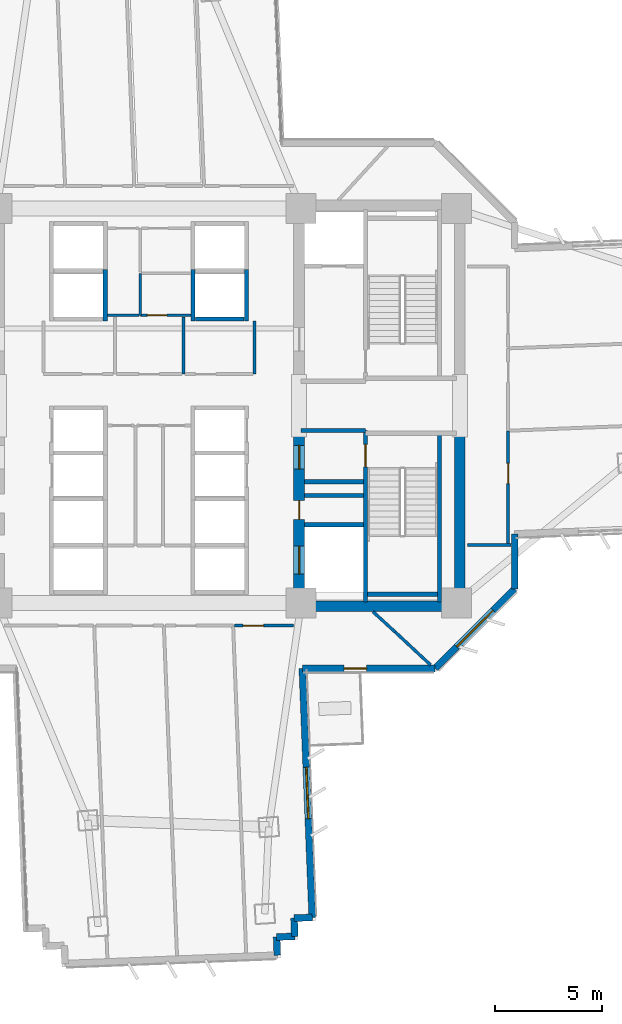
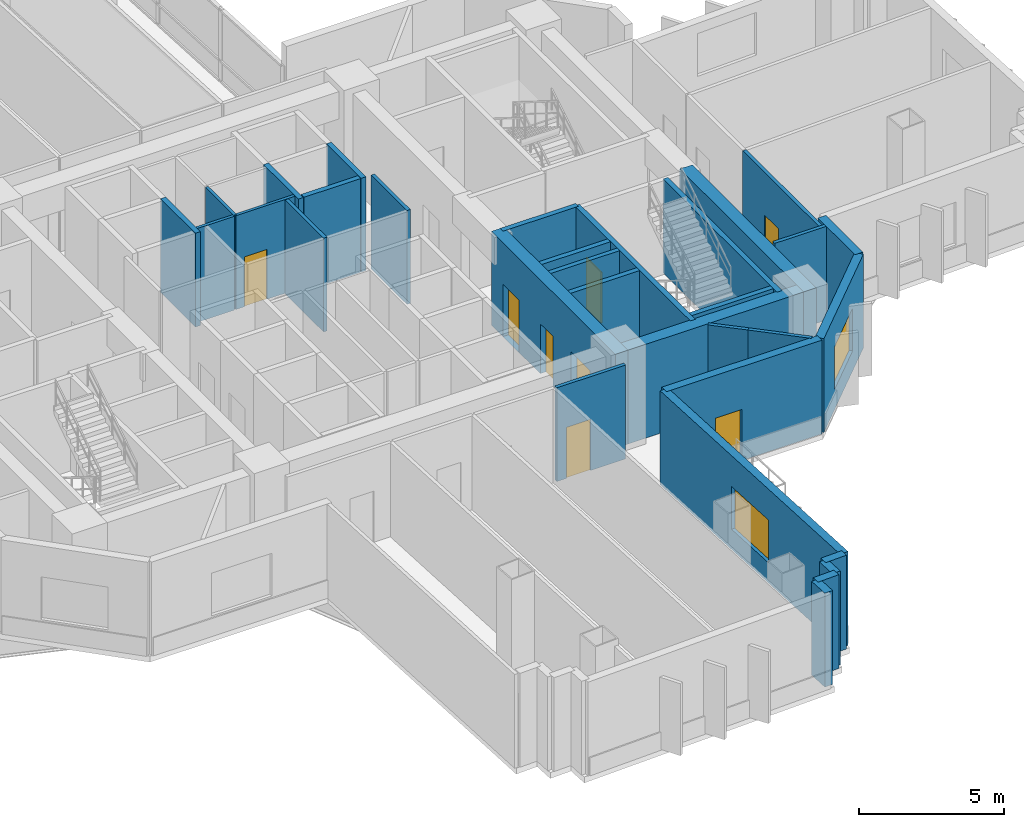
# One storey, part 8 of 16: 32 walls, 8 doors, 2 windows, 10 openings.
"""IFC4 building model written with IfcOpenShell, lengths in metres."""

from ifc_helpers import new_model, si_unit, direction, frame, frame_2d, origin, place, context, subcontext, project, spatial, rectangle, extrude, source, transform, mapped, material, layer, layer_set, type_object, element, fill, save


model = new_model("IFC4")

# Units and contexts
model_context = context("Model", 3, precision=1e-05, world=origin(), true_north=direction((0.0, 1.0)))
body_context = subcontext(model_context, "Body", "Model", "MODEL_VIEW")
ifc_project = project(units=[si_unit("LENGTHUNIT", "METRE"), si_unit("AREAUNIT", "SQUARE_METRE"), si_unit("VOLUMEUNIT", "CUBIC_METRE"), si_unit("PLANEANGLEUNIT", "RADIAN"), si_unit("MASSUNIT", "GRAM", prefix="KILO")], contexts=[model_context])

# Site, building, storey
site_placement = place(None, origin())
site = spatial("IfcSite", under=ifc_project, at=site_placement, CompositionType="ELEMENT")
building_placement = place(site_placement, origin())
building = spatial("IfcBuilding", under=site, at=building_placement, Name="Zahravan Cultural Tower", CompositionType="ELEMENT")
storey_placement = place(building_placement, frame((0.0, 0.0, 62.699951171875)))
storey = spatial("IfcBuildingStorey", under=building, at=storey_placement, Name="L13", CompositionType="ELEMENT", Elevation=62.699951171875)

# Wall, openings, doors
ifc_material_1 = material(Name="Concrete C60/75", Category="concrete")
ifc_layer_1 = layer(ifc_material_1, 0.5)
ifc_layer_set_1 = layer_set([ifc_layer_1], Name="Concrete C60/75")
wall_type_1 = type_object("IfcWallType", Name="CW-SHEAR-500-C60", PredefinedType="SHEAR", material=ifc_layer_set_1)
wall_1_placement = place(storey_placement, frame((43.0, 17.39990234375, 0.0), z_axis=(0.0, 0.0, 1.0), x_axis=(0.0, 1.0, 0.0)))
wall_1 = element("IfcWall", 1, at=wall_1_placement, inside=storey, type_object=wall_type_1, Name="L13 Core Shear Wall CW-E-WS-L13", PredefinedType="SHEAR", context=body_context, shape_type="SweptSolid", body=[
    extrude(rectangle(XDim=8.550048828125, YDim=0.5, at=frame_2d((4.27490234375, 0.0))), origin(), (0.0, 0.0, 1.0), 3.949951171875),
])
opening_1_placement = place(wall_1_placement, frame((6.64990234375, 0.0, 0.0)))
opening_1 = element("IfcOpeningElement", 2, at=opening_1_placement, cuts=wall_1, Name="Opening D-L13-08", PredefinedType="OPENING", context=body_context, shape_type="SweptSolid", body=[
    extrude(rectangle(XDim=1.10009765625, YDim=2.199951171875, at=frame_2d((0.550048828125, 1.10009765625))), frame((0.0, 0.260009765625, 0.0), z_axis=(0.0, -1.0, 0.0), x_axis=(1.0, 0.0, 0.0)), (0.0, 0.0, 1.0), 0.52001953125),
])
opening_2_placement = place(wall_1_placement, frame((1.75, 0.0, 0.0)))
opening_2 = element("IfcOpeningElement", 3, at=opening_2_placement, cuts=wall_1, Name="Opening LD-L13-03", PredefinedType="OPENING", context=body_context, shape_type="SweptSolid", body=[
    extrude(rectangle(XDim=1.300048828125, YDim=2.199951171875, at=frame_2d((0.64990234375, 1.10009765625))), frame((0.0, 0.260009765625, 0.0), z_axis=(0.0, -1.0, 0.0), x_axis=(1.0, 0.0, 0.0)), (0.0, 0.0, 1.0), 0.52001953125),
])
opening_3_placement = place(wall_1_placement, frame((4.300048828125, 0.0, 0.0)))
opening_3 = element("IfcOpeningElement", 4, at=opening_3_placement, cuts=wall_1, Name="Opening D-L13-12", PredefinedType="OPENING", context=body_context, shape_type="SweptSolid", body=[
    extrude(rectangle(XDim=0.8798828125, YDim=2.10009765625, at=frame_2d((0.43994140625, 1.050048828125))), frame((0.0, 0.260009765625, 0.0), z_axis=(0.0, -1.0, 0.0), x_axis=(1.0, 0.0, 0.0)), (0.0, 0.0, 1.0), 0.52001953125),
])
ifc_material_2 = material(Name="Steel ASTM A572 Grade 50", Category="steel")
door_type_1 = type_object("IfcDoorType", Name="DR-LOBBY-1100", OperationType="NOTDEFINED", PredefinedType="DOOR", material=ifc_material_2)
shared_shape_1 = source(origin(), body_context, "Body", "SweptSolid", [
    extrude(rectangle(XDim=1.10009765625, YDim=2.199951171875, at=frame_2d((0.550048828125, 1.10009765625))), frame((0.0, 0.02490234375, 0.0), z_axis=(0.0, -1.0, 0.0), x_axis=(1.0, 0.0, 0.0)), (0.0, 0.0, 1.0), 0.050048828125),
])
door_1_placement = place(opening_1_placement, origin())
door_1 = element("IfcDoor", 5, at=door_1_placement, inside=storey, type_object=door_type_1, Name="L13 Door D-L13-08", OperationType="SINGLE_SWING_RIGHT", OverallHeight=2.199951171875, OverallWidth=1.10009765625, PredefinedType="DOOR", context=body_context, shape_type="MappedRepresentation", body=[
    mapped(shared_shape_1, transform((0.0, 0.0, 0.0), x_axis=(1.0, 0.0, 0.0), y_axis=(0.0, 1.0, 0.0), z_axis=(0.0, 0.0, 1.0), scale=1.0)),
])
fill(opening_1, door_1)
door_type_2 = type_object("IfcDoorType", Name="DR-LIFT-1300", OperationType="DOUBLE_DOOR_SLIDING", PredefinedType="DOOR", material=ifc_material_2)
shared_shape_2 = source(origin(), body_context, "Body", "SweptSolid", [
    extrude(rectangle(XDim=1.300048828125, YDim=2.199951171875, at=frame_2d((0.64990234375, 1.10009765625))), frame((0.0, 0.02490234375, 0.0), z_axis=(0.0, -1.0, 0.0), x_axis=(1.0, 0.0, 0.0)), (0.0, 0.0, 1.0), 0.050048828125),
])
door_2_placement = place(opening_2_placement, origin())
door_2 = element("IfcDoor", 6, at=door_2_placement, inside=storey, type_object=door_type_2, Name="L13 Door LD-L13-03", OperationType="DOUBLE_DOOR_SLIDING", OverallHeight=2.199951171875, OverallWidth=1.300048828125, PredefinedType="DOOR", context=body_context, shape_type="MappedRepresentation", body=[
    mapped(shared_shape_2, transform((0.0, 0.0, 0.0), x_axis=(1.0, 0.0, 0.0), y_axis=(0.0, 1.0, 0.0), z_axis=(0.0, 0.0, 1.0), scale=1.0)),
])
fill(opening_2, door_2)
door_type_3 = type_object("IfcDoorType", Name="DR-SVC-880", OperationType="NOTDEFINED", PredefinedType="DOOR", material=ifc_material_2)
shared_shape_3 = source(origin(), body_context, "Body", "SweptSolid", [
    extrude(rectangle(XDim=0.8798828125, YDim=2.10009765625, at=frame_2d((0.43994140625, 1.050048828125))), frame((0.0, 0.02490234375, 0.0), z_axis=(0.0, -1.0, 0.0), x_axis=(1.0, 0.0, 0.0)), (0.0, 0.0, 1.0), 0.050048828125),
])
door_3_placement = place(opening_3_placement, origin())
door_3 = element("IfcDoor", 7, at=door_3_placement, inside=storey, type_object=door_type_3, Name="L13 Door D-L13-12", OperationType="SINGLE_SWING_RIGHT", OverallHeight=2.10009765625, OverallWidth=0.8798828125, PredefinedType="DOOR", context=body_context, shape_type="MappedRepresentation", body=[
    mapped(shared_shape_3, transform((0.0, 0.0, 0.0), x_axis=(1.0, 0.0, 0.0), y_axis=(0.0, 1.0, 0.0), z_axis=(0.0, 0.0, 1.0), scale=1.0)),
])
fill(opening_3, door_3)

# Wall, opening, window
ifc_material_3 = material(Name="Precast concrete C40/50", Category="concrete")
ifc_layer_2 = layer(ifc_material_3, 0.320068359375)
ifc_layer_set_2 = layer_set([ifc_layer_2], Name="Precast concrete C40/50")
wall_type_2 = type_object("IfcWallType", Name="EW-TC-320", PredefinedType="SOLIDWALL", material=ifc_layer_set_2)
wall_2_placement = place(storey_placement, frame((53.06005859375, 18.4580078125, 0.0), z_axis=(0.0, 0.0, 1.0), x_axis=(-0.707106781187, -0.707106781187, 0.0)))
wall_2 = element("IfcWall", 8, at=wall_2_placement, inside=storey, type_object=wall_type_2, Name="L13 Exterior Masonry Frame Wall 13", PredefinedType="SOLIDWALL", context=body_context, shape_type="SweptSolid", body=[
    extrude(rectangle(XDim=5.258056640625, YDim=0.320068359375, at=frame_2d((2.62890625, 0.0))), origin(), (0.0, 0.0, 1.0), 3.949951171875),
])
opening_4_placement = place(wall_2_placement, frame((1.428955078125, 0.0, 0.85009765625)))
opening_4 = element("IfcOpeningElement", 9, at=opening_4_placement, cuts=wall_2, Name="Opening WN-01", PredefinedType="OPENING", context=body_context, shape_type="SweptSolid", body=[
    extrude(rectangle(XDim=2.39990234375, YDim=1.800048828125, at=frame_2d((1.199951171875, 0.89990234375))), frame((0.0, 0.169921875, 0.0), z_axis=(0.0, -1.0, 0.0), x_axis=(1.0, 0.0, 0.0)), (0.0, 0.0, 1.0), 0.340087890625),
])
ifc_material_4 = material(Name="Low-E solar-control double glazing", Category="glass")
window_type = type_object("IfcWindowType", Name="WN-REC-2400X1800", PartitioningType="DOUBLE_PANEL_VERTICAL", PredefinedType="WINDOW", material=ifc_material_4)
shared_shape_4 = source(origin(), body_context, "Body", "SweptSolid", [
    extrude(rectangle(XDim=2.39990234375, YDim=1.800048828125, at=frame_2d((1.199951171875, 0.89990234375))), frame((0.0, 0.030029296875, 0.0), z_axis=(0.0, -1.0, 0.0), x_axis=(1.0, 0.0, 0.0)), (0.0, 0.0, 1.0), 0.06005859375),
])
window_1_placement = place(opening_4_placement, origin())
window_1 = element("IfcWindow", 10, at=window_1_placement, inside=storey, type_object=window_type, Name="L13 Recessed Solar Window 04", OverallHeight=1.800048828125, OverallWidth=2.39990234375, PartitioningType="DOUBLE_PANEL_VERTICAL", PredefinedType="WINDOW", context=body_context, shape_type="MappedRepresentation", body=[
    mapped(shared_shape_4, transform((0.0, 0.0, 0.0), x_axis=(1.0, 0.0, 0.0), y_axis=(0.0, 1.0, 0.0), z_axis=(0.0, 0.0, 1.0), scale=1.0)),
])
fill(opening_4, window_1)

# Wall, opening, door
wall_3_placement = place(storey_placement, frame((49.342041015625, 14.739990234375, 0.0), z_axis=(0.0, 0.0, 1.0), x_axis=(-1.0, 0.0, 0.0)))
wall_3 = element("IfcWall", 11, at=wall_3_placement, inside=storey, type_object=wall_type_2, Name="L13 Exterior Masonry Frame Wall 14", PredefinedType="SOLIDWALL", context=body_context, shape_type="SweptSolid", body=[
    extrude(rectangle(XDim=6.188720703125, YDim=0.320068359375, at=frame_2d((3.09423828125, 0.0))), origin(), (0.0, 0.0, 1.0), 3.949951171875),
])
opening_5_placement = place(wall_3_placement, frame((3.18603515625, 0.0, 0.0)))
opening_5 = element("IfcOpeningElement", 12, at=opening_5_placement, cuts=wall_3, Name="Opening D-L13-TR-SE", PredefinedType="OPENING", context=body_context, shape_type="SweptSolid", body=[
    extrude(rectangle(XDim=1.050048828125, YDim=2.14990234375, at=frame_2d((0.52490234375, 1.074951171875))), frame((0.0, 0.169921875, 0.0), z_axis=(0.0, -1.0, 0.0), x_axis=(1.0, 0.0, 0.0)), (0.0, 0.0, 1.0), 0.340087890625),
])
ifc_material_5 = material(Name="Anodised bronze-aluminium mullion", Category="aluminium")
door_type_4 = type_object("IfcDoorType", Name="DR-TERR-1050", OperationType="NOTDEFINED", PredefinedType="DOOR", material=ifc_material_5)
shared_shape_5 = source(origin(), body_context, "Body", "SweptSolid", [
    extrude(rectangle(XDim=1.050048828125, YDim=2.14990234375, at=frame_2d((0.52490234375, 1.074951171875))), frame((0.0, 0.02490234375, 0.0), z_axis=(0.0, -1.0, 0.0), x_axis=(1.0, 0.0, 0.0)), (0.0, 0.0, 1.0), 0.050048828125),
])
door_4_placement = place(opening_5_placement, origin())
door_4 = element("IfcDoor", 13, at=door_4_placement, inside=storey, type_object=door_type_4, Name="L13 Terrace Access Door SE", OperationType="SINGLE_SWING_RIGHT", OverallHeight=2.14990234375, OverallWidth=1.050048828125, PredefinedType="DOOR", context=body_context, shape_type="MappedRepresentation", body=[
    mapped(shared_shape_5, transform((0.0, 0.0, 0.0), x_axis=(1.0, 0.0, 0.0), y_axis=(0.0, 1.0, 0.0), z_axis=(0.0, 0.0, 1.0), scale=1.0)),
])
fill(opening_5, door_4)

# Wall, opening, window
wall_4_placement = place(storey_placement, frame((43.1533203125, 14.739990234375, 0.0), z_axis=(0.0, 0.0, 1.0), x_axis=(0.039775975357, -0.999208622753, 0.0)))
wall_4 = element("IfcWall", 14, at=wall_4_placement, inside=storey, type_object=wall_type_2, Name="L13 Exterior Masonry Frame Wall 15", PredefinedType="SOLIDWALL", context=body_context, shape_type="SweptSolid", body=[
    extrude(rectangle(XDim=11.625244140625, YDim=0.320068359375, at=frame_2d((5.8125, 0.0))), origin(), (0.0, 0.0, 1.0), 3.949951171875),
])
opening_6_placement = place(wall_4_placement, frame((4.613037109375, 0.0, 0.85009765625)))
opening_6 = element("IfcOpeningElement", 15, at=opening_6_placement, cuts=wall_4, Name="Opening WN-01", PredefinedType="OPENING", context=body_context, shape_type="SweptSolid", body=[
    extrude(rectangle(XDim=2.39990234375, YDim=1.800048828125, at=frame_2d((1.199951171875, 0.89990234375))), frame((0.0, 0.169921875, 0.0), z_axis=(0.0, -1.0, 0.0), x_axis=(1.0, 0.0, 0.0)), (0.0, 0.0, 1.0), 0.340087890625),
])
window_2_placement = place(opening_6_placement, origin())
window_2 = element("IfcWindow", 16, at=window_2_placement, inside=storey, type_object=window_type, Name="L13 Recessed Solar Window 05", OverallHeight=1.800048828125, OverallWidth=2.39990234375, PartitioningType="DOUBLE_PANEL_VERTICAL", PredefinedType="WINDOW", context=body_context, shape_type="MappedRepresentation", body=[
    mapped(shared_shape_4, transform((0.0, 0.0, 0.0), x_axis=(1.0, 0.0, 0.0), y_axis=(0.0, 1.0, 0.0), z_axis=(0.0, 0.0, 1.0), scale=1.0)),
])
fill(opening_6, window_2)

# Wall, opening, door
ifc_material_6 = material(Name="Gypsum plasterboard partition")
ifc_layer_3 = layer(ifc_material_6, 0.139892578125)
ifc_layer_set_3 = layer_set([ifc_layer_3], Name="Gypsum plasterboard partition")
wall_type_3 = type_object("IfcWallType", Name="W-PART-140", PredefinedType="PARTITIONING", material=ifc_layer_set_3)
wall_5_placement = place(storey_placement, frame((39.996337890625, 16.739990234375, 0.0), z_axis=(0.0, 0.0, 1.0), x_axis=(0.999999996048, 8.8904694e-05, 0.0)))
wall_5 = element("IfcWall", 17, at=wall_5_placement, inside=storey, type_object=wall_type_3, Name="L13 Interior Wall 109", PredefinedType="PARTITIONING", context=body_context, shape_type="SweptSolid", body=[
    extrude(rectangle(XDim=2.74609375, YDim=0.139892578125, at=frame_2d((1.373046875, 0.0))), origin(), (0.0, 0.0, 1.0), 3.949951171875),
])
opening_7_placement = place(wall_5_placement, frame((0.39501953125, 0.0, 0.0)))
opening_7 = element("IfcOpeningElement", 18, at=opening_7_placement, cuts=wall_5, Name="Opening D-L13-34", PredefinedType="OPENING", context=body_context, shape_type="SweptSolid", body=[
    extrude(rectangle(XDim=0.949951171875, YDim=2.14990234375, at=frame_2d((0.47509765625, 1.074951171875))), frame((0.0, 0.079833984375, 0.0), z_axis=(0.0, -1.0, 0.0), x_axis=(1.0, 0.0, 0.0)), (0.0, 0.0, 1.0), 0.159912109375),
])
door_type_5 = type_object("IfcDoorType", Name="DR-ROOM-950", OperationType="NOTDEFINED", PredefinedType="DOOR", material=ifc_material_5)
shared_shape_6 = source(origin(), body_context, "Body", "SweptSolid", [
    extrude(rectangle(XDim=0.949951171875, YDim=2.14990234375, at=frame_2d((0.47509765625, 1.074951171875))), frame((0.0, 0.02490234375, 0.0), z_axis=(0.0, -1.0, 0.0), x_axis=(1.0, 0.0, 0.0)), (0.0, 0.0, 1.0), 0.050048828125),
])
door_5_placement = place(opening_7_placement, origin())
door_5 = element("IfcDoor", 19, at=door_5_placement, inside=storey, type_object=door_type_5, Name="L13 Door D-L13-34", OperationType="SINGLE_SWING_RIGHT", OverallHeight=2.14990234375, OverallWidth=0.949951171875, PredefinedType="DOOR", context=body_context, shape_type="MappedRepresentation", body=[
    mapped(shared_shape_6, transform((0.0, 0.0, 0.0), x_axis=(1.0, 0.0, 0.0), y_axis=(0.0, 1.0, 0.0), z_axis=(0.0, 0.0, 1.0), scale=1.0)),
])
fill(opening_7, door_5)

wall_6_placement = place(storey_placement, frame((52.75, 20.574951171875, 0.0), z_axis=(0.0, 0.0, 1.0), x_axis=(0.0, 1.0, 0.0)))
wall_6 = element("IfcWall", 20, at=wall_6_placement, inside=storey, type_object=wall_type_3, Name="L13 Interior Wall 117", PredefinedType="PARTITIONING", context=body_context, shape_type="SweptSolid", body=[
    extrude(rectangle(XDim=5.240478515625, YDim=0.139892578125, at=frame_2d((2.6201171875, 0.0))), origin(), (0.0, 0.0, 1.0), 3.949951171875),
])
opening_8_placement = place(wall_6_placement, frame((2.788818359375, 0.0, 0.0)))
opening_8 = element("IfcOpeningElement", 21, at=opening_8_placement, cuts=wall_6, Name="Opening D-L13-21", PredefinedType="OPENING", context=body_context, shape_type="SweptSolid", body=[
    extrude(rectangle(XDim=0.949951171875, YDim=2.14990234375, at=frame_2d((0.47509765625, 1.074951171875))), frame((0.0, 0.079833984375, 0.0), z_axis=(0.0, -1.0, 0.0), x_axis=(1.0, 0.0, 0.0)), (0.0, 0.0, 1.0), 0.159912109375),
])
door_6_placement = place(opening_8_placement, origin())
door_6 = element("IfcDoor", 22, at=door_6_placement, inside=storey, type_object=door_type_5, Name="L13 Door D-L13-21", OperationType="SINGLE_SWING_LEFT", OverallHeight=2.14990234375, OverallWidth=0.949951171875, PredefinedType="DOOR", context=body_context, shape_type="MappedRepresentation", body=[
    mapped(shared_shape_6, transform((0.0, 0.0, 0.0), x_axis=(1.0, 0.0, 0.0), y_axis=(0.0, 1.0, 0.0), z_axis=(0.0, 0.0, 1.0), scale=1.0)),
])
fill(opening_8, door_6)

ifc_material_7 = material(Name="Concrete C45/55", Category="concrete")
ifc_layer_4 = layer(ifc_material_7, 0.199951171875)
ifc_layer_set_4 = layer_set([ifc_layer_4], Name="Concrete C45/55")
wall_type_4 = type_object("IfcWallType", Name="W-SHAFT-200", PredefinedType="SOLIDWALL", material=ifc_layer_set_4)
wall_7_placement = place(storey_placement, frame((46.10009765625, 17.85009765625, 0.0), z_axis=(0.0, 0.0, 1.0), x_axis=(0.0, 1.0, 0.0)))
wall_7 = element("IfcWall", 23, at=wall_7_placement, inside=storey, type_object=wall_type_4, Name="L13 Interior Wall 007", PredefinedType="SOLIDWALL", context=body_context, shape_type="SweptSolid", body=[
    extrude(rectangle(XDim=8.0, YDim=0.199951171875, at=frame_2d((4.0, 0.0))), origin(), (0.0, 0.0, 1.0), 3.949951171875),
])
opening_9_placement = place(wall_7_placement, frame((6.300048828125, 0.0, 0.0)))
opening_9 = element("IfcOpeningElement", 24, at=opening_9_placement, cuts=wall_7, Name="Opening D-L13-03", PredefinedType="OPENING", context=body_context, shape_type="SweptSolid", body=[
    extrude(rectangle(XDim=1.050048828125, YDim=2.14990234375, at=frame_2d((0.52490234375, 1.074951171875))), frame((0.0, 0.10986328125, 0.0), z_axis=(0.0, -1.0, 0.0), x_axis=(1.0, 0.0, 0.0)), (0.0, 0.0, 1.0), 0.219970703125),
])
door_type_6 = type_object("IfcDoorType", Name="DR-STAIR-1050", OperationType="NOTDEFINED", PredefinedType="DOOR", material=ifc_material_2)
door_7_placement = place(opening_9_placement, origin())
door_7 = element("IfcDoor", 25, at=door_7_placement, inside=storey, type_object=door_type_6, Name="L13 Door D-L13-03", OperationType="SINGLE_SWING_LEFT", OverallHeight=2.14990234375, OverallWidth=1.050048828125, PredefinedType="DOOR", context=body_context, shape_type="MappedRepresentation", body=[
    mapped(shared_shape_5, transform((0.0, 0.0, 0.0), x_axis=(1.0, 0.0, 0.0), y_axis=(0.0, 1.0, 0.0), z_axis=(0.0, 0.0, 1.0), scale=1.0)),
])
fill(opening_9, door_7)

ifc_layer_5 = layer(ifc_material_6, 0.114990234375)
ifc_layer_set_5 = layer_set([ifc_layer_5], Name="Gypsum plasterboard partition")
wall_type_5 = type_object("IfcWallType", Name="W-WC-115", PredefinedType="PARTITIONING", material=ifc_layer_set_5)
wall_8_placement = place(storey_placement, frame((37.945068359375, 31.219970703125, 0.0), z_axis=(0.0, 0.0, 1.0), x_axis=(-1.0, 0.0, 0.0)))
wall_8 = element("IfcWall", 26, at=wall_8_placement, inside=storey, type_object=wall_type_5, Name="L13 Interior Wall 069", PredefinedType="PARTITIONING", context=body_context, shape_type="SweptSolid", body=[
    extrude(rectangle(XDim=2.35498046875, YDim=0.114990234375, at=frame_2d((1.177490234375, 0.0))), origin(), (0.0, 0.0, 1.0), 3.949951171875),
])
opening_10_placement = place(wall_8_placement, frame((1.120849609375, 0.0, 0.0)))
opening_10 = element("IfcOpeningElement", 27, at=opening_10_placement, cuts=wall_8, Name="Opening D-L13-35", PredefinedType="OPENING", context=body_context, shape_type="SweptSolid", body=[
    extrude(rectangle(XDim=0.89990234375, YDim=2.10009765625, at=frame_2d((0.449951171875, 1.050048828125))), frame((0.0, 0.0673828125, 0.0), z_axis=(0.0, -1.0, 0.0), x_axis=(1.0, 0.0, 0.0)), (0.0, 0.0, 1.0), 0.135009765625),
])
door_type_7 = type_object("IfcDoorType", Name="DR-WC-900", OperationType="NOTDEFINED", PredefinedType="DOOR", material=ifc_material_5)
shared_shape_7 = source(origin(), body_context, "Body", "SweptSolid", [
    extrude(rectangle(XDim=0.89990234375, YDim=2.10009765625, at=frame_2d((0.449951171875, 1.050048828125))), frame((0.0, 0.02490234375, 0.0), z_axis=(0.0, -1.0, 0.0), x_axis=(1.0, 0.0, 0.0)), (0.0, 0.0, 1.0), 0.050048828125),
])
door_8_placement = place(opening_10_placement, origin())
door_8 = element("IfcDoor", 28, at=door_8_placement, inside=storey, type_object=door_type_7, Name="L13 Door D-L13-35", OperationType="SINGLE_SWING_LEFT", OverallHeight=2.10009765625, OverallWidth=0.89990234375, PredefinedType="DOOR", context=body_context, shape_type="MappedRepresentation", body=[
    mapped(shared_shape_7, transform((0.0, 0.0, 0.0), x_axis=(1.0, 0.0, 0.0), y_axis=(0.0, 1.0, 0.0), z_axis=(0.0, 0.0, 1.0), scale=1.0)),
])
fill(opening_10, door_8)

# Walls
shared_shape_8 = source(origin(), body_context, "Body", "SweptSolid", [
    extrude(rectangle(XDim=8.550048828125, YDim=0.5, at=frame_2d((4.27490234375, 0.0))), origin(), (0.0, 0.0, 1.0), 3.949951171875),
])
wall_9_placement = place(storey_placement, frame((50.5, 17.39990234375, 0.0), z_axis=(0.0, 0.0, 1.0), x_axis=(0.0, 1.0, 0.0)))
element("IfcWall", 29, at=wall_9_placement, inside=storey, type_object=wall_type_1, Name="L13 Core Shear Wall CW-E-ES-L13", PredefinedType="SHEAR", context=body_context, shape_type="MappedRepresentation", body=[
    mapped(shared_shape_8, transform((0.0, 0.0, 0.0), x_axis=(1.0, 0.0, 0.0), y_axis=(0.0, 1.0, 0.0), z_axis=(0.0, 0.0, 1.0), scale=1.0)),
])
shared_shape_9 = source(origin(), body_context, "Body", "SweptSolid", [
    extrude(rectangle(XDim=7.0, YDim=0.5, at=frame_2d((3.5, 0.0))), origin(), (0.0, 0.0, 1.0), 3.949951171875),
])
wall_10_placement = place(storey_placement, frame((43.25, 17.64990234375, 0.0), z_axis=(0.0, 0.0, 1.0), x_axis=(1.0, 0.0, 0.0)))
element("IfcWall", 30, at=wall_10_placement, inside=storey, type_object=wall_type_1, Name="L13 Core Shear Wall CW-E-S-L13", PredefinedType="SHEAR", context=body_context, shape_type="MappedRepresentation", body=[
    mapped(shared_shape_9, transform((0.0, 0.0, 0.0), x_axis=(1.0, 0.0, 0.0), y_axis=(0.0, 1.0, 0.0), z_axis=(0.0, 0.0, 1.0), scale=1.0)),
])
shared_shape_10 = source(origin(), body_context, "Body", "SweptSolid", [
    extrude(rectangle(XDim=0.849853515625, YDim=0.320068359375, at=frame_2d((0.4248046875, 0.0))), origin(), (0.0, 0.0, 1.0), 3.949951171875),
])
for number, where, z_axis, x_axis, name in (
    (31, (43.61572265625, 3.1240234375, 0.0), (0.0, 0.0, 1.0), (-0.999202334929, -0.039933618331, 0.0), "L13 Exterior Masonry Frame Wall 16"),
    (32, (42.7666015625, 3.090087890625, 0.0), (0.0, 0.0, 1.0), (0.039646779332, -0.999213757356, 0.0), "L13 Exterior Masonry Frame Wall 17"),
    (33, (41.950927734375, 2.20703125, 0.0), (0.0, 0.0, 1.0), (0.039933618331, -0.999202334929, 0.0), "L13 Exterior Masonry Frame Wall 19"),
):
    element("IfcWall", number, at=place(storey_placement, frame(where, z_axis=z_axis, x_axis=x_axis)), inside=storey, type_object=wall_type_2, Name=name, PredefinedType="SOLIDWALL", context=body_context, shape_type="MappedRepresentation", body=[
        mapped(shared_shape_10, transform((0.0, 0.0, 0.0), x_axis=(1.0, 0.0, 0.0), y_axis=(0.0, 1.0, 0.0), z_axis=(0.0, 0.0, 1.0), scale=1.0)),
    ])
shared_shape_11 = source(origin(), body_context, "Body", "SweptSolid", [
    extrude(rectangle(XDim=0.85009765625, YDim=0.320068359375, at=frame_2d((0.425048828125, 0.0))), origin(), (0.0, 0.0, 1.0), 3.949951171875),
])
wall_11_placement = place(storey_placement, frame((42.80029296875, 2.240966796875, 0.0), z_axis=(0.0, 0.0, 1.0), x_axis=(-0.999202792875, -0.039922158152, 0.0)))
element("IfcWall", 34, at=wall_11_placement, inside=storey, type_object=wall_type_2, Name="L13 Exterior Masonry Frame Wall 18", PredefinedType="SOLIDWALL", context=body_context, shape_type="MappedRepresentation", body=[
    mapped(shared_shape_11, transform((0.0, 0.0, 0.0), x_axis=(1.0, 0.0, 0.0), y_axis=(0.0, 1.0, 0.0), z_axis=(0.0, 0.0, 1.0), scale=1.0)),
])
shared_shape_12 = source(origin(), body_context, "Body", "SweptSolid", [
    extrude(rectangle(XDim=2.555908203125, YDim=0.320068359375, at=frame_2d((1.27783203125, 0.0))), origin(), (0.0, 0.0, 1.0), 3.949951171875),
])
wall_12_placement = place(storey_placement, frame((53.06005859375, 21.013916015625, 0.0), z_axis=(0.0, 0.0, 1.0), x_axis=(0.0, -1.0, 0.0)))
element("IfcWall", 35, at=wall_12_placement, inside=storey, type_object=wall_type_2, Name="L13 Exterior Masonry Frame Wall 12", PredefinedType="SOLIDWALL", context=body_context, shape_type="MappedRepresentation", body=[
    mapped(shared_shape_12, transform((0.0, 0.0, 0.0), x_axis=(1.0, 0.0, 0.0), y_axis=(0.0, 1.0, 0.0), z_axis=(0.0, 0.0, 1.0), scale=1.0)),
])
shared_shape_13 = source(origin(), body_context, "Body", "SweptSolid", [
    extrude(rectangle(XDim=7.869873046875, YDim=0.199951171875, at=frame_2d((3.93505859375, 0.0))), origin(), (0.0, 0.0, 1.0), 3.949951171875),
])
wall_13_placement = place(storey_placement, frame((49.550048828125, 17.85009765625, 0.0), z_axis=(0.0, 0.0, 1.0), x_axis=(0.0, 1.0, 0.0)))
element("IfcWall", 36, at=wall_13_placement, inside=storey, type_object=wall_type_4, Name="L13 Interior Wall 003", PredefinedType="SOLIDWALL", context=body_context, shape_type="MappedRepresentation", body=[
    mapped(shared_shape_13, transform((0.0, 0.0, 0.0), x_axis=(1.0, 0.0, 0.0), y_axis=(0.0, 1.0, 0.0), z_axis=(0.0, 0.0, 1.0), scale=1.0)),
])
shared_shape_14 = source(origin(), body_context, "Body", "SweptSolid", [
    extrude(rectangle(XDim=3.0, YDim=0.199951171875, at=frame_2d((1.5, 0.0))), origin(), (0.0, 0.0, 1.0), 3.949951171875),
])
wall_14_placement = place(storey_placement, frame((43.10009765625, 25.85009765625, 0.0), z_axis=(0.0, 0.0, 1.0), x_axis=(1.0, 0.0, 0.0)))
element("IfcWall", 37, at=wall_14_placement, inside=storey, type_object=wall_type_4, Name="L13 Interior Wall 013", PredefinedType="SOLIDWALL", context=body_context, shape_type="MappedRepresentation", body=[
    mapped(shared_shape_14, transform((0.0, 0.0, 0.0), x_axis=(1.0, 0.0, 0.0), y_axis=(0.0, 1.0, 0.0), z_axis=(0.0, 0.0, 1.0), scale=1.0)),
])
shared_shape_15 = source(origin(), body_context, "Body", "SweptSolid", [
    extrude(rectangle(XDim=3.25, YDim=0.199951171875, at=frame_2d((1.625, 0.0))), origin(), (0.0, 0.0, 1.0), 3.949951171875),
])
wall_15_placement = place(storey_placement, frame((46.199951171875, 18.199951171875, 0.0), z_axis=(0.0, 0.0, 1.0), x_axis=(1.0, 0.0, 0.0)))
element("IfcWall", 38, at=wall_15_placement, inside=storey, type_object=wall_type_4, Name="L13 Interior Wall 020", PredefinedType="SOLIDWALL", context=body_context, shape_type="MappedRepresentation", body=[
    mapped(shared_shape_15, transform((0.0, 0.0, 0.0), x_axis=(1.0, 0.0, 0.0), y_axis=(0.0, 1.0, 0.0), z_axis=(0.0, 0.0, 1.0), scale=1.0)),
])
shared_shape_16 = source(origin(), body_context, "Body", "SweptSolid", [
    extrude(rectangle(XDim=2.75, YDim=0.199951171875, at=frame_2d((1.375, 0.0))), origin(), (0.0, 0.0, 1.0), 3.949951171875),
])
for number, where, z_axis, x_axis, name in (
    (39, (43.25, 23.449951171875, 0.0), (0.0, 0.0, 1.0), (1.0, 0.0, 0.0), "L13 Interior Wall 024"),
    (40, (43.25, 21.449951171875, 0.0), (0.0, 0.0, 1.0), (1.0, 0.0, 0.0), "L13 Interior Wall 025"),
):
    element("IfcWall", number, at=place(storey_placement, frame(where, z_axis=z_axis, x_axis=x_axis)), inside=storey, type_object=wall_type_4, Name=name, PredefinedType="SOLIDWALL", context=body_context, shape_type="MappedRepresentation", body=[
        mapped(shared_shape_16, transform((0.0, 0.0, 0.0), x_axis=(1.0, 0.0, 0.0), y_axis=(0.0, 1.0, 0.0), z_axis=(0.0, 0.0, 1.0), scale=1.0)),
    ])
shared_shape_17 = source(origin(), body_context, "Body", "SweptSolid", [
    extrude(rectangle(XDim=2.400146484375, YDim=0.199951171875, at=frame_2d((1.2001953125, 0.0))), origin(), (0.0, 0.0, 1.0), 3.949951171875),
])
for number, where, z_axis, x_axis, name in (
    (41, (33.949951171875, 30.949951171875, 0.0), (0.0, 0.0, 1.0), (0.0, 1.0, 0.0), "L13 Interior Wall 034"),
    (42, (38.050048828125, 30.949951171875, 0.0), (0.0, 0.0, 1.0), (0.0, 1.0, 0.0), "L13 Interior Wall 040"),
    (43, (40.550048828125, 30.949951171875, 0.0), (0.0, 0.0, 1.0), (0.0, 1.0, 0.0), "L13 Interior Wall 041"),
):
    element("IfcWall", number, at=place(storey_placement, frame(where, z_axis=z_axis, x_axis=x_axis)), inside=storey, type_object=wall_type_4, Name=name, PredefinedType="SOLIDWALL", context=body_context, shape_type="MappedRepresentation", body=[
        mapped(shared_shape_17, transform((0.0, 0.0, 0.0), x_axis=(1.0, 0.0, 0.0), y_axis=(0.0, 1.0, 0.0), z_axis=(0.0, 0.0, 1.0), scale=1.0)),
    ])
shared_shape_18 = source(origin(), body_context, "Body", "SweptSolid", [
    extrude(rectangle(XDim=2.260009765625, YDim=0.199951171875, at=frame_2d((1.1298828125, 0.0))), origin(), (0.0, 0.0, 1.0), 3.949951171875),
])
wall_16_placement = place(storey_placement, frame((38.169921875, 31.050048828125, 0.0), z_axis=(0.0, 0.0, 1.0), x_axis=(1.0, 0.0, 0.0)))
element("IfcWall", 44, at=wall_16_placement, inside=storey, type_object=wall_type_4, Name="L13 Interior Wall 042", PredefinedType="SOLIDWALL", context=body_context, shape_type="MappedRepresentation", body=[
    mapped(shared_shape_18, transform((0.0, 0.0, 0.0), x_axis=(1.0, 0.0, 0.0), y_axis=(0.0, 1.0, 0.0), z_axis=(0.0, 0.0, 1.0), scale=1.0)),
])
shared_shape_19 = source(origin(), body_context, "Body", "SweptSolid", [
    extrude(rectangle(XDim=2.469970703125, YDim=0.139892578125, at=frame_2d((1.23486328125, 0.0))), origin(), (0.0, 0.0, 1.0), 3.949951171875),
])
wall_17_placement = place(storey_placement, frame((40.919921875, 30.949951171875, 0.0), z_axis=(0.0, 0.0, 1.0), x_axis=(0.0, -1.0, 0.0)))
element("IfcWall", 45, at=wall_17_placement, inside=storey, type_object=wall_type_3, Name="L13 Interior Wall 089", PredefinedType="PARTITIONING", context=body_context, shape_type="MappedRepresentation", body=[
    mapped(shared_shape_19, transform((0.0, 0.0, 0.0), x_axis=(1.0, 0.0, 0.0), y_axis=(0.0, 1.0, 0.0), z_axis=(0.0, 0.0, 1.0), scale=1.0)),
])
ifc_layer_6 = layer(ifc_material_6, 0.179931640625)
ifc_layer_set_6 = layer_set([ifc_layer_6], Name="Gypsum plasterboard partition")
wall_type_6 = type_object("IfcWallType", Name="W-COMP-180", PredefinedType="PARTITIONING", material=ifc_layer_set_6)
shared_shape_20 = source(origin(), body_context, "Body", "SweptSolid", [
    extrude(rectangle(XDim=2.75, YDim=0.179931640625, at=frame_2d((1.375, 0.0))), origin(), (0.0, 0.0, 1.0), 3.949951171875),
])
wall_18_placement = place(storey_placement, frame((43.25, 22.820068359375, 0.0), z_axis=(0.0, 0.0, 1.0), x_axis=(1.0, 0.0, 0.0)))
element("IfcWall", 46, at=wall_18_placement, inside=storey, type_object=wall_type_6, Name="L13 Interior Wall 028", PredefinedType="PARTITIONING", context=body_context, shape_type="MappedRepresentation", body=[
    mapped(shared_shape_20, transform((0.0, 0.0, 0.0), x_axis=(1.0, 0.0, 0.0), y_axis=(0.0, 1.0, 0.0), z_axis=(0.0, 0.0, 1.0), scale=1.0)),
])
shared_shape_21 = source(origin(), body_context, "Body", "SweptSolid", [
    extrude(rectangle(XDim=1.9599609375, YDim=0.114990234375, at=frame_2d((0.97998046875, 0.0))), origin(), (0.0, 0.0, 1.0), 3.949951171875),
])
wall_19_placement = place(storey_placement, frame((35.590087890625, 31.219970703125, 0.0), z_axis=(0.0, 0.0, 1.0), x_axis=(0.0, 1.0, 0.0)))
element("IfcWall", 47, at=wall_19_placement, inside=storey, type_object=wall_type_5, Name="L13 Interior Wall 070", PredefinedType="PARTITIONING", context=body_context, shape_type="MappedRepresentation", body=[
    mapped(shared_shape_21, transform((0.0, 0.0, 0.0), x_axis=(1.0, 0.0, 0.0), y_axis=(0.0, 1.0, 0.0), z_axis=(0.0, 0.0, 1.0), scale=1.0)),
])
shared_shape_22 = source(origin(), body_context, "Body", "SweptSolid", [
    extrude(rectangle(XDim=1.47265625, YDim=0.114990234375, at=frame_2d((0.736328125, 0.0))), origin(), (0.0, 0.0, 1.0), 3.949951171875),
])
wall_20_placement = place(storey_placement, frame((35.527587890625, 31.219970703125, 0.0), z_axis=(0.0, 0.0, 1.0), x_axis=(-1.0, 0.0, 0.0)))
element("IfcWall", 48, at=wall_20_placement, inside=storey, type_object=wall_type_5, Name="L13 Interior Wall 074", PredefinedType="PARTITIONING", context=body_context, shape_type="MappedRepresentation", body=[
    mapped(shared_shape_22, transform((0.0, 0.0, 0.0), x_axis=(1.0, 0.0, 0.0), y_axis=(0.0, 1.0, 0.0), z_axis=(0.0, 0.0, 1.0), scale=1.0)),
])
shared_shape_23 = source(origin(), body_context, "Body", "SweptSolid", [
    extrude(rectangle(XDim=2.659912109375, YDim=0.139892578125, at=frame_2d((1.330078125, 0.0))), origin(), (0.0, 0.0, 1.0), 3.949951171875),
])
wall_21_placement = place(storey_placement, frame((37.60009765625, 31.139892578125, 0.0), z_axis=(0.0, 0.0, 1.0), x_axis=(0.0, -1.0, 0.0)))
element("IfcWall", 49, at=wall_21_placement, inside=storey, type_object=wall_type_3, Name="L13 Interior Wall 085", PredefinedType="PARTITIONING", context=body_context, shape_type="MappedRepresentation", body=[
    mapped(shared_shape_23, transform((0.0, 0.0, 0.0), x_axis=(1.0, 0.0, 0.0), y_axis=(0.0, 1.0, 0.0), z_axis=(0.0, 0.0, 1.0), scale=1.0)),
])
shared_shape_24 = source(origin(), body_context, "Body", "SweptSolid", [
    extrude(rectangle(XDim=1.416748046875, YDim=0.139892578125, at=frame_2d((0.70849609375, 0.0))), origin(), (0.0, 0.0, 1.0), 3.949951171875),
])
wall_22_placement = place(storey_placement, frame((46.443359375, 17.39501953125, 0.0), z_axis=(0.0, 0.0, 1.0), x_axis=(0.737776192982, -0.675045397784, 0.0)))
element("IfcWall", 50, at=wall_22_placement, inside=storey, type_object=wall_type_3, Name="L13 Interior Wall 110", PredefinedType="PARTITIONING", context=body_context, shape_type="MappedRepresentation", body=[
    mapped(shared_shape_24, transform((0.0, 0.0, 0.0), x_axis=(1.0, 0.0, 0.0), y_axis=(0.0, 1.0, 0.0), z_axis=(0.0, 0.0, 1.0), scale=1.0)),
])
shared_shape_25 = source(origin(), body_context, "Body", "SweptSolid", [
    extrude(rectangle(XDim=2.24951171875, YDim=0.139892578125, at=frame_2d((1.124755859375, 0.0))), origin(), (0.0, 0.0, 1.0), 3.949951171875),
])
wall_23_placement = place(storey_placement, frame((47.488525390625, 16.438720703125, 0.0), z_axis=(0.0, 0.0, 1.0), x_axis=(0.731524295554, -0.68181537458, 0.0)))
element("IfcWall", 51, at=wall_23_placement, inside=storey, type_object=wall_type_3, Name="L13 Interior Wall 111", PredefinedType="PARTITIONING", context=body_context, shape_type="MappedRepresentation", body=[
    mapped(shared_shape_25, transform((0.0, 0.0, 0.0), x_axis=(1.0, 0.0, 0.0), y_axis=(0.0, 1.0, 0.0), z_axis=(0.0, 0.0, 1.0), scale=1.0)),
])
shared_shape_26 = source(origin(), body_context, "Body", "SweptSolid", [
    extrude(rectangle(XDim=2.04931640625, YDim=0.139892578125, at=frame_2d((1.024658203125, 0.0))), origin(), (0.0, 0.0, 1.0), 3.949951171875),
])
wall_24_placement = place(storey_placement, frame((50.8505859375, 20.50341796875, 0.0), z_axis=(0.0, 0.0, 1.0), x_axis=(0.999998403336, -0.001786987854, 0.0)))
element("IfcWall", 52, at=wall_24_placement, inside=storey, type_object=wall_type_3, Name="L13 Interior Wall 116", PredefinedType="PARTITIONING", context=body_context, shape_type="MappedRepresentation", body=[
    mapped(shared_shape_26, transform((0.0, 0.0, 0.0), x_axis=(1.0, 0.0, 0.0), y_axis=(0.0, 1.0, 0.0), z_axis=(0.0, 0.0, 1.0), scale=1.0)),
])

save(model, "model.ifc")
